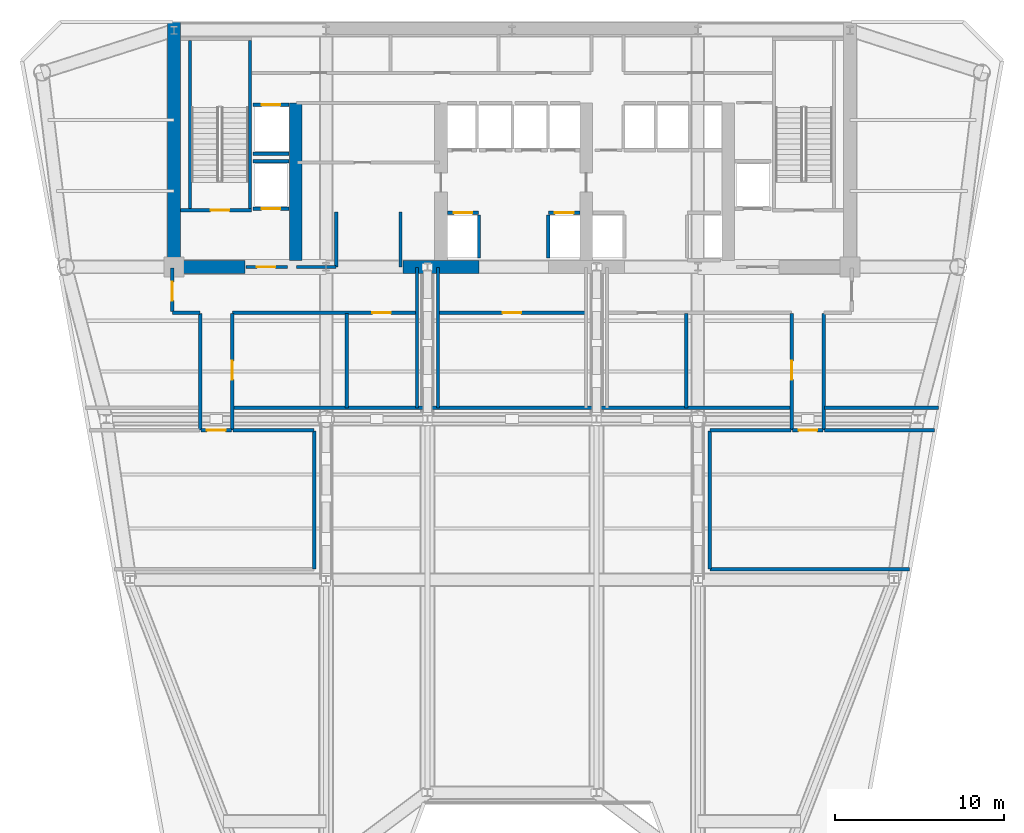
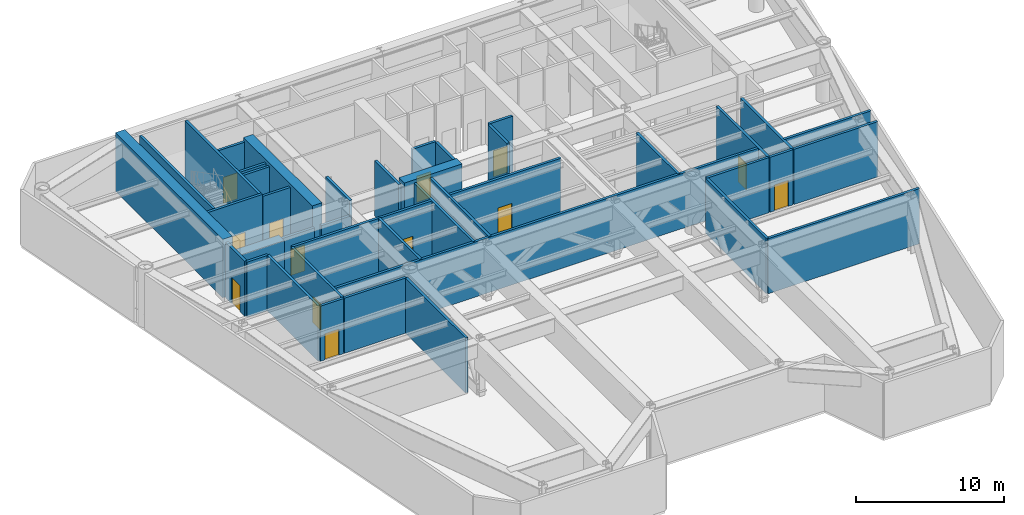
# One storey, part 4 of 10: 41 walls, 13 doors, 13 openings.
"""IFC4 building model written with IfcOpenShell, lengths in metres."""

from ifc_helpers import new_model, si_unit, direction, frame, frame_2d, origin, place, context, subcontext, project, spatial, rectangle, extrude, source, transform, mapped, material, layer, layer_set, type_object, element, fill, save


model = new_model("IFC4")

# Units and contexts
model_context = context("Model", 3, precision=1e-05, world=origin(), true_north=direction((0.0, 1.0)))
body_context = subcontext(model_context, "Body", "Model", "MODEL_VIEW")
ifc_project = project(units=[si_unit("LENGTHUNIT", "METRE"), si_unit("AREAUNIT", "SQUARE_METRE"), si_unit("VOLUMEUNIT", "CUBIC_METRE"), si_unit("PLANEANGLEUNIT", "RADIAN"), si_unit("MASSUNIT", "GRAM", prefix="KILO")], contexts=[model_context])

# Site, building, storey
site_placement = place(None, origin())
site = spatial("IfcSite", under=ifc_project, at=site_placement, CompositionType="ELEMENT")
building_placement = place(site_placement, origin())
building = spatial("IfcBuilding", under=site, at=building_placement, Name="Vaeldorn Concourse Tower", CompositionType="ELEMENT")
storey_placement = place(building_placement, frame((0.0, 0.0, 149.0)))
storey = spatial("IfcBuildingStorey", under=building, at=storey_placement, Name="L38", CompositionType="ELEMENT", Elevation=149.0)

# Walls
ifc_material_1 = material(Name="Concrete C60/75", Category="concrete")
ifc_layer_1 = layer(ifc_material_1, 0.75)
ifc_layer_set_1 = layer_set([ifc_layer_1], Name="Concrete C60/75")
wall_type_1 = type_object("IfcWallType", Name="WL-CORE-750", PredefinedType="SHEAR", material=ifc_layer_set_1)
wall_1_placement = place(storey_placement, frame((14.0, 36.5, 0.0), z_axis=(0.0, 0.0, 1.0), x_axis=(0.0, 1.0, 0.0)))
element("IfcWall", 1, at=wall_1_placement, inside=storey, type_object=wall_type_1, Name="Rear Core Shear Wall L38 W1", PredefinedType="SHEAR", context=body_context, shape_type="SweptSolid", body=[
    extrude(rectangle(XDim=14.5, YDim=0.75, at=frame_2d((7.25, 0.0))), origin(), (0.0, 0.0, 1.0), 4.800048828125),
])
wall_2_placement = place(storey_placement, frame((14.39501953125, 36.5, 0.0), z_axis=(0.0, 0.0, 1.0), x_axis=(1.0, 0.0, 0.0)))
element("IfcWall", 2, at=wall_2_placement, inside=storey, type_object=wall_type_1, Name="Rear Core Shear Wall L38 S1", PredefinedType="SHEAR", context=body_context, shape_type="SweptSolid", body=[
    extrude(rectangle(XDim=3.804931640625, YDim=0.75, at=frame_2d((1.90234375, 0.0))), origin(), (0.0, 0.0, 1.0), 3.340087890625),
])
wall_3_placement = place(storey_placement, frame((27.550048828125, 36.5, 0.0), z_axis=(0.0, 0.0, 1.0), x_axis=(1.0, 0.0, 0.0)))
element("IfcWall", 3, at=wall_3_placement, inside=storey, type_object=wall_type_1, Name="Rear Core Shear Wall L38 S2", PredefinedType="SHEAR", context=body_context, shape_type="SweptSolid", body=[
    extrude(rectangle(XDim=4.5, YDim=0.75, at=frame_2d((2.25, 0.0))), origin(), (0.0, 0.0, 1.0), 4.800048828125),
])
wall_4_placement = place(storey_placement, frame((21.199951171875, 36.89501953125, 0.0), z_axis=(0.0, 0.0, 1.0), x_axis=(0.0, 1.0, 0.0)))
element("IfcWall", 4, at=wall_4_placement, inside=storey, type_object=wall_type_1, Name="Rear Core Shear Wall L38 M1", PredefinedType="SHEAR", context=body_context, shape_type="SweptSolid", body=[
    extrude(rectangle(XDim=9.304931640625, YDim=0.75, at=frame_2d((4.65234375, 0.0))), origin(), (0.0, 0.0, 1.0), 4.800048828125),
])

# Wall, opening, door
ifc_material_2 = material(Name="Concrete C50/60", Category="concrete")
ifc_layer_2 = layer(ifc_material_2, 0.199951171875)
ifc_layer_set_2 = layer_set([ifc_layer_2], Name="Concrete C50/60")
wall_type_2 = type_object("IfcWallType", Name="WL-SHAFT-200", PredefinedType="SOLIDWALL", material=ifc_layer_set_2)
wall_5_placement = place(storey_placement, frame((14.375, 39.85009765625, 0.0), z_axis=(0.0, 0.0, 1.0), x_axis=(1.0, 0.0, 0.0)))
wall_5 = element("IfcWall", 5, at=wall_5_placement, inside=storey, type_object=wall_type_2, Name="Stair Shaft Wall CW-L38-ST-1-S", PredefinedType="SOLIDWALL", context=body_context, shape_type="SweptSolid", body=[
    extrude(rectangle(XDim=4.22509765625, YDim=0.199951171875, at=frame_2d((2.112548828125, 0.0))), origin(), (0.0, 0.0, 1.0), 4.800048828125),
])
opening_1_placement = place(wall_5_placement, frame((1.800048828125, 0.0, 0.0)))
opening_1 = element("IfcOpeningElement", 6, at=opening_1_placement, cuts=wall_5, Name="Opening D-01", PredefinedType="OPENING", context=body_context, shape_type="SweptSolid", body=[
    extrude(rectangle(XDim=1.10009765625, YDim=2.14990234375, at=frame_2d((0.550048828125, 1.074951171875))), frame((0.0, 0.10986328125, 0.0), z_axis=(0.0, -1.0, 0.0), x_axis=(1.0, 0.0, 0.0)), (0.0, 0.0, 1.0), 0.219970703125),
])
ifc_material_3 = material(Name="Fire-Rated Timber and Steel Leaf", Category="steel")
door_type_1 = type_object("IfcDoorType", Name="DR-FD60-1100", OperationType="NOTDEFINED", PredefinedType="DOOR", material=ifc_material_3)
shared_shape = source(origin(), body_context, "Body", "SweptSolid", [
    extrude(rectangle(XDim=1.10009765625, YDim=2.14990234375, at=frame_2d((0.550048828125, 1.074951171875))), frame((0.0, 0.02490234375, 0.0), z_axis=(0.0, -1.0, 0.0), x_axis=(1.0, 0.0, 0.0)), (0.0, 0.0, 1.0), 0.050048828125),
])
door_1_placement = place(opening_1_placement, origin())
door_1 = element("IfcDoor", 7, at=door_1_placement, inside=storey, type_object=door_type_1, Name="Interior Door DR-L38-ST-1", OperationType="SINGLE_SWING_LEFT", OverallHeight=2.14990234375, OverallWidth=1.10009765625, PredefinedType="DOOR", context=body_context, shape_type="MappedRepresentation", body=[
    mapped(shared_shape, transform((0.0, 0.0, 0.0), scale=1.0)),
])
fill(opening_1, door_1)

# Walls
for number, where, z_axis, x_axis, name in (
    (8, (14.949951171875, 39.9599609375, 0.0), (0.0, 0.0, 1.0), (0.0, 1.0, 0.0), "Stair Shaft Wall CW-L38-ST-1-W"),
    (9, (18.5, 39.9599609375, 0.0), (0.0, 0.0, 1.0), (0.0, 1.0, 0.0), "Stair Shaft Wall CW-L38-ST-1-E"),
):
    element("IfcWall", number, at=place(storey_placement, frame(where, z_axis=z_axis, x_axis=x_axis)), inside=storey, type_object=wall_type_2, Name=name, PredefinedType="SOLIDWALL", context=body_context, shape_type="SweptSolid", body=[
        extrude(rectangle(XDim=9.929931640625, YDim=0.199951171875, at=frame_2d((4.96484375, 0.0))), origin(), (0.0, 0.0, 1.0), 4.800048828125),
    ])

# Wall, opening, door
wall_6_placement = place(storey_placement, frame((18.25, 36.5, 0.0), z_axis=(0.0, 0.0, 1.0), x_axis=(1.0, 0.0, 0.0)))
wall_6 = element("IfcWall", 10, at=wall_6_placement, inside=storey, type_object=wall_type_2, Name="Interior Wall CW-L38-FF1S", PredefinedType="SOLIDWALL", context=body_context, shape_type="SweptSolid", body=[
    extrude(rectangle(XDim=2.469970703125, YDim=0.199951171875, at=frame_2d((1.23486328125, 0.0))), origin(), (0.0, 0.0, 1.0), 3.330078125),
])
opening_2_placement = place(wall_6_placement, frame((0.64990234375, 0.0, 0.0)))
opening_2 = element("IfcOpeningElement", 11, at=opening_2_placement, cuts=wall_6, Name="Opening D-01", PredefinedType="OPENING", context=body_context, shape_type="SweptSolid", body=[
    extrude(rectangle(XDim=1.10009765625, YDim=2.14990234375, at=frame_2d((0.550048828125, 1.074951171875))), frame((0.0, 0.10986328125, 0.0), z_axis=(0.0, -1.0, 0.0), x_axis=(1.0, 0.0, 0.0)), (0.0, 0.0, 1.0), 0.219970703125),
])
door_2_placement = place(opening_2_placement, origin())
door_2 = element("IfcDoor", 12, at=door_2_placement, inside=storey, type_object=door_type_1, Name="Interior Door DR-L38-FF1E", OperationType="SINGLE_SWING_RIGHT", OverallHeight=2.14990234375, OverallWidth=1.10009765625, PredefinedType="DOOR", context=body_context, shape_type="MappedRepresentation", body=[
    mapped(shared_shape, transform((0.0, 0.0, 0.0), scale=1.0)),
])
fill(opening_2, door_2)

wall_7_placement = place(storey_placement, frame((30.18505859375, 39.699951171875, 0.0), z_axis=(0.0, 0.0, 1.0), x_axis=(1.0, 0.0, 0.0)))
wall_7 = element("IfcWall", 13, at=wall_7_placement, inside=storey, type_object=wall_type_2, Name="Interior Wall CW-L38-LF-LF-07", PredefinedType="SOLIDWALL", context=body_context, shape_type="SweptSolid", body=[
    extrude(rectangle(XDim=1.844970703125, YDim=0.199951171875, at=frame_2d((0.92236328125, 0.0))), origin(), (0.0, 0.0, 1.0), 4.5400390625),
])
opening_3_placement = place(wall_7_placement, frame((0.373046875, 0.0, 0.0)))
opening_3 = element("IfcOpeningElement", 14, at=opening_3_placement, cuts=wall_7, Name="Opening LD-1", PredefinedType="OPENING", context=body_context, shape_type="SweptSolid", body=[
    extrude(rectangle(XDim=1.10009765625, YDim=2.14990234375, at=frame_2d((0.550048828125, 1.074951171875))), frame((0.0, 0.10986328125, 0.0), z_axis=(0.0, -1.0, 0.0), x_axis=(1.0, 0.0, 0.0)), (0.0, 0.0, 1.0), 0.219970703125),
])
ifc_material_4 = material(Name="Anodised Bronze Aluminium", Category="aluminium")
door_type_2 = type_object("IfcDoorType", Name="DR-LIFT-SLIDE-1100", OperationType="DOUBLE_DOOR_SLIDING", PredefinedType="DOOR", material=ifc_material_4)
door_3_placement = place(opening_3_placement, origin())
door_3 = element("IfcDoor", 15, at=door_3_placement, inside=storey, type_object=door_type_2, Name="Lift Landing Door LD-L38-LF-07", OperationType="DOUBLE_DOOR_SLIDING", OverallHeight=2.14990234375, OverallWidth=1.10009765625, PredefinedType="DOOR", context=body_context, shape_type="MappedRepresentation", body=[
    mapped(shared_shape, transform((0.0, 0.0, 0.0), scale=1.0)),
])
fill(opening_3, door_3)

# Wall
wall_8_placement = place(storey_placement, frame((32.050048828125, 37.02001953125, 0.0), z_axis=(0.0, 0.0, 1.0), x_axis=(0.0, 1.0, 0.0)))
element("IfcWall", 16, at=wall_8_placement, inside=storey, type_object=wall_type_2, Name="Interior Wall CW-L38-LFE-LF-07", PredefinedType="SOLIDWALL", context=body_context, shape_type="SweptSolid", body=[
    extrude(rectangle(XDim=2.56005859375, YDim=0.199951171875, at=frame_2d((1.280029296875, 0.0))), origin(), (0.0, 0.0, 1.0), 4.5400390625),
])

# Wall, opening, door
wall_9_placement = place(storey_placement, frame((36.169921875, 39.699951171875, 0.0), z_axis=(0.0, 0.0, 1.0), x_axis=(1.0, 0.0, 0.0)))
wall_9 = element("IfcWall", 17, at=wall_9_placement, inside=storey, type_object=wall_type_2, Name="Interior Wall CW-L38-LF-LF-08", PredefinedType="SOLIDWALL", context=body_context, shape_type="SweptSolid", body=[
    extrude(rectangle(XDim=1.844970703125, YDim=0.199951171875, at=frame_2d((0.92236328125, 0.0))), origin(), (0.0, 0.0, 1.0), 4.5400390625),
])
opening_4_placement = place(wall_9_placement, frame((0.3720703125, 0.0, 0.0)))
opening_4 = element("IfcOpeningElement", 18, at=opening_4_placement, cuts=wall_9, Name="Opening LD-1", PredefinedType="OPENING", context=body_context, shape_type="SweptSolid", body=[
    extrude(rectangle(XDim=1.10009765625, YDim=2.14990234375, at=frame_2d((0.550048828125, 1.074951171875))), frame((0.0, 0.10986328125, 0.0), z_axis=(0.0, -1.0, 0.0), x_axis=(1.0, 0.0, 0.0)), (0.0, 0.0, 1.0), 0.219970703125),
])
door_4_placement = place(opening_4_placement, origin())
door_4 = element("IfcDoor", 19, at=door_4_placement, inside=storey, type_object=door_type_2, Name="Lift Landing Door LD-L38-LF-08", OperationType="DOUBLE_DOOR_SLIDING", OverallHeight=2.14990234375, OverallWidth=1.10009765625, PredefinedType="DOOR", context=body_context, shape_type="MappedRepresentation", body=[
    mapped(shared_shape, transform((0.0, 0.0, 0.0), scale=1.0)),
])
fill(opening_4, door_4)

# Wall
wall_10_placement = place(storey_placement, frame((36.14990234375, 37.02001953125, 0.0), z_axis=(0.0, 0.0, 1.0), x_axis=(0.0, 1.0, 0.0)))
element("IfcWall", 20, at=wall_10_placement, inside=storey, type_object=wall_type_2, Name="Interior Wall CW-L38-LFW-LF-08", PredefinedType="SOLIDWALL", context=body_context, shape_type="SweptSolid", body=[
    extrude(rectangle(XDim=2.56005859375, YDim=0.199951171875, at=frame_2d((1.280029296875, 0.0))), origin(), (0.0, 0.0, 1.0), 4.5400390625),
])

# Wall, opening, door
wall_11_placement = place(storey_placement, frame((18.669921875, 46.10009765625, 0.0), z_axis=(0.0, 0.0, 1.0), x_axis=(1.0, 0.0, 0.0)))
wall_11 = element("IfcWall", 21, at=wall_11_placement, inside=storey, type_object=wall_type_2, Name="Interior Wall CW-L38-LF-LF-SV1", PredefinedType="SOLIDWALL", context=body_context, shape_type="SweptSolid", body=[
    extrude(rectangle(XDim=2.14501953125, YDim=0.199951171875, at=frame_2d((1.072509765625, 0.0))), origin(), (0.0, 0.0, 1.0), 4.5400390625),
])
opening_5_placement = place(wall_11_placement, frame((0.52197265625, 0.0, 0.0)))
opening_5 = element("IfcOpeningElement", 22, at=opening_5_placement, cuts=wall_11, Name="Opening LD-1", PredefinedType="OPENING", context=body_context, shape_type="SweptSolid", body=[
    extrude(rectangle(XDim=1.10009765625, YDim=2.14990234375, at=frame_2d((0.550048828125, 1.074951171875))), frame((0.0, 0.10986328125, 0.0), z_axis=(0.0, -1.0, 0.0), x_axis=(1.0, 0.0, 0.0)), (0.0, 0.0, 1.0), 0.219970703125),
])
door_5_placement = place(opening_5_placement, origin())
door_5 = element("IfcDoor", 23, at=door_5_placement, inside=storey, type_object=door_type_2, Name="Lift Landing Door LD-L38-LF-SV1", OperationType="DOUBLE_DOOR_SLIDING", OverallHeight=2.14990234375, OverallWidth=1.10009765625, PredefinedType="DOOR", context=body_context, shape_type="MappedRepresentation", body=[
    mapped(shared_shape, transform((0.0, 0.0, 0.0), scale=1.0)),
])
fill(opening_5, door_5)

# Wall
wall_12_placement = place(storey_placement, frame((18.669921875, 43.199951171875, 0.0), z_axis=(0.0, 0.0, 1.0), x_axis=(1.0, 0.0, 0.0)))
element("IfcWall", 24, at=wall_12_placement, inside=storey, type_object=wall_type_2, Name="Interior Wall CW-L38-LFB-LF-SV1", PredefinedType="SOLIDWALL", context=body_context, shape_type="SweptSolid", body=[
    extrude(rectangle(XDim=2.14501953125, YDim=0.199951171875, at=frame_2d((1.072509765625, 0.0))), origin(), (0.0, 0.0, 1.0), 4.5400390625),
])

# Wall, opening, door
wall_13_placement = place(storey_placement, frame((18.669921875, 39.949951171875, 0.0), z_axis=(0.0, 0.0, 1.0), x_axis=(1.0, 0.0, 0.0)))
wall_13 = element("IfcWall", 25, at=wall_13_placement, inside=storey, type_object=wall_type_2, Name="Interior Wall CW-L38-LF-LF-FF1", PredefinedType="SOLIDWALL", context=body_context, shape_type="SweptSolid", body=[
    extrude(rectangle(XDim=2.14501953125, YDim=0.199951171875, at=frame_2d((1.072509765625, 0.0))), origin(), (0.0, 0.0, 1.0), 4.5400390625),
])
opening_6_placement = place(wall_13_placement, frame((0.52197265625, 0.0, 0.0)))
opening_6 = element("IfcOpeningElement", 26, at=opening_6_placement, cuts=wall_13, Name="Opening LD-1", PredefinedType="OPENING", context=body_context, shape_type="SweptSolid", body=[
    extrude(rectangle(XDim=1.10009765625, YDim=2.14990234375, at=frame_2d((0.550048828125, 1.074951171875))), frame((0.0, 0.10986328125, 0.0), z_axis=(0.0, -1.0, 0.0), x_axis=(1.0, 0.0, 0.0)), (0.0, 0.0, 1.0), 0.219970703125),
])
door_6_placement = place(opening_6_placement, origin())
door_6 = element("IfcDoor", 27, at=door_6_placement, inside=storey, type_object=door_type_2, Name="Lift Landing Door LD-L38-LF-FF1", OperationType="DOUBLE_DOOR_SLIDING", OverallHeight=2.14990234375, OverallWidth=1.10009765625, PredefinedType="DOOR", context=body_context, shape_type="MappedRepresentation", body=[
    mapped(shared_shape, transform((0.0, 0.0, 0.0), scale=1.0)),
])
fill(opening_6, door_6)

# Walls
wall_14_placement = place(storey_placement, frame((18.669921875, 42.75, 0.0), z_axis=(0.0, 0.0, 1.0), x_axis=(1.0, 0.0, 0.0)))
element("IfcWall", 28, at=wall_14_placement, inside=storey, type_object=wall_type_2, Name="Interior Wall CW-L38-LFB-LF-FF1", PredefinedType="SOLIDWALL", context=body_context, shape_type="SweptSolid", body=[
    extrude(rectangle(XDim=2.14501953125, YDim=0.199951171875, at=frame_2d((1.072509765625, 0.0))), origin(), (0.0, 0.0, 1.0), 4.5400390625),
])
wall_15_placement = place(storey_placement, frame((21.25, 36.5, 0.0), z_axis=(0.0, 0.0, 1.0), x_axis=(1.0, 0.0, 0.0)))
element("IfcWall", 29, at=wall_15_placement, inside=storey, type_object=wall_type_2, Name="Interior Wall CW-L38-R1S1", PredefinedType="SOLIDWALL", context=body_context, shape_type="SweptSolid", body=[
    extrude(rectangle(XDim=2.35009765625, YDim=0.199951171875, at=frame_2d((1.175048828125, 0.0))), origin(), (0.0, 0.0, 1.0), 3.330078125),
])
for number, where, z_axis, x_axis, name in (
    (30, (23.60009765625, 36.5, 0.0), (0.0, 0.0, 1.0), (0.0, 1.0, 0.0), "Interior Wall CW-L38-R1S2"),
    (31, (27.39990234375, 36.5, 0.0), (0.0, 0.0, 1.0), (0.0, 1.0, 0.0), "Interior Wall CW-L38-R1S3"),
):
    element("IfcWall", number, at=place(storey_placement, frame(where, z_axis=z_axis, x_axis=x_axis)), inside=storey, type_object=wall_type_2, Name=name, PredefinedType="SOLIDWALL", context=body_context, shape_type="SweptSolid", body=[
        extrude(rectangle(XDim=3.25, YDim=0.199951171875, at=frame_2d((1.625, 0.0))), origin(), (0.0, 0.0, 1.0), 4.5400390625),
    ])
wall_16_placement = place(storey_placement, frame((13.89990234375, 33.800048828125, 0.0), z_axis=(0.0, 0.0, 1.0), x_axis=(1.0, 0.0, 0.0)))
element("IfcWall", 32, at=wall_16_placement, inside=storey, type_object=wall_type_2, Name="Interior Wall PW-L38-PCW1", PredefinedType="SOLIDWALL", context=body_context, shape_type="SweptSolid", body=[
    extrude(rectangle(XDim=1.650146484375, YDim=0.199951171875, at=frame_2d((0.8251953125, 0.0))), origin(), (0.0, 0.0, 1.0), 4.5400390625),
])

# Wall, opening, door
wall_17_placement = place(storey_placement, frame((17.449951171875, 33.800048828125, 0.0), z_axis=(0.0, 0.0, 1.0), x_axis=(1.0, 0.0, 0.0)))
wall_17 = element("IfcWall", 33, at=wall_17_placement, inside=storey, type_object=wall_type_2, Name="Interior Wall PW-L38-PCW2", PredefinedType="SOLIDWALL", context=body_context, shape_type="SweptSolid", body=[
    extrude(rectangle(XDim=10.91015625, YDim=0.199951171875, at=frame_2d((5.455078125, 0.0))), origin(), (0.0, 0.0, 1.0), 4.5400390625),
])
opening_7_placement = place(wall_17_placement, frame((8.284912109375, 0.0, 0.0)))
opening_7 = element("IfcOpeningElement", 34, at=opening_7_placement, cuts=wall_17, Name="Opening D-01", PredefinedType="OPENING", context=body_context, shape_type="SweptSolid", body=[
    extrude(rectangle(XDim=1.10009765625, YDim=2.14990234375, at=frame_2d((0.550048828125, 1.074951171875))), frame((0.0, 0.10986328125, 0.0), z_axis=(0.0, -1.0, 0.0), x_axis=(1.0, 0.0, 0.0)), (0.0, 0.0, 1.0), 0.219970703125),
])
door_7_placement = place(opening_7_placement, origin())
door_7 = element("IfcDoor", 35, at=door_7_placement, inside=storey, type_object=door_type_1, Name="Interior Door DR-L38-PL1", OperationType="SINGLE_SWING_LEFT", OverallHeight=2.14990234375, OverallWidth=1.10009765625, PredefinedType="DOOR", context=body_context, shape_type="MappedRepresentation", body=[
    mapped(shared_shape, transform((0.0, 0.0, 0.0), scale=1.0)),
])
fill(opening_7, door_7)

wall_18_placement = place(storey_placement, frame((29.639892578125, 33.800048828125, 0.0), z_axis=(0.0, 0.0, 1.0), x_axis=(1.0, 0.0, 0.0)))
wall_18 = element("IfcWall", 36, at=wall_18_placement, inside=storey, type_object=wall_type_2, Name="Interior Wall PW-L38-PCC", PredefinedType="SOLIDWALL", context=body_context, shape_type="SweptSolid", body=[
    extrude(rectangle(XDim=8.72021484375, YDim=0.199951171875, at=frame_2d((4.360107421875, 0.0))), origin(), (0.0, 0.0, 1.0), 4.5400390625),
])
opening_8_placement = place(wall_18_placement, frame((3.800048828125, 0.0, 0.0)))
opening_8 = element("IfcOpeningElement", 37, at=opening_8_placement, cuts=wall_18, Name="Opening D-01", PredefinedType="OPENING", context=body_context, shape_type="SweptSolid", body=[
    extrude(rectangle(XDim=1.10009765625, YDim=2.14990234375, at=frame_2d((0.550048828125, 1.074951171875))), frame((0.0, 0.10986328125, 0.0), z_axis=(0.0, -1.0, 0.0), x_axis=(1.0, 0.0, 0.0)), (0.0, 0.0, 1.0), 0.219970703125),
])
door_8_placement = place(opening_8_placement, origin())
door_8 = element("IfcDoor", 38, at=door_8_placement, inside=storey, type_object=door_type_1, Name="Interior Door DR-L38-PL2", OperationType="SINGLE_SWING_RIGHT", OverallHeight=2.14990234375, OverallWidth=1.10009765625, PredefinedType="DOOR", context=body_context, shape_type="MappedRepresentation", body=[
    mapped(shared_shape, transform((0.0, 0.0, 0.0), scale=1.0)),
])
fill(opening_8, door_8)

wall_19_placement = place(storey_placement, frame((13.89990234375, 33.860107421875, 0.0), z_axis=(0.0, 0.0, 1.0), x_axis=(0.0, 1.0, 0.0)))
wall_19 = element("IfcWall", 39, at=wall_19_placement, inside=storey, type_object=wall_type_2, Name="Interior Wall PW-L38-RNW", PredefinedType="SOLIDWALL", context=body_context, shape_type="SweptSolid", body=[
    extrude(rectangle(XDim=2.579833984375, YDim=0.199951171875, at=frame_2d((1.2900390625, 0.0))), origin(), (0.0, 0.0, 1.0), 4.5400390625),
])
opening_9_placement = place(wall_19_placement, frame((0.64990234375, 0.0, 0.0)))
opening_9 = element("IfcOpeningElement", 40, at=opening_9_placement, cuts=wall_19, Name="Opening D-01", PredefinedType="OPENING", context=body_context, shape_type="SweptSolid", body=[
    extrude(rectangle(XDim=1.10009765625, YDim=2.14990234375, at=frame_2d((0.550048828125, 1.074951171875))), frame((0.0, 0.10986328125, 0.0), z_axis=(0.0, -1.0, 0.0), x_axis=(1.0, 0.0, 0.0)), (0.0, 0.0, 1.0), 0.219970703125),
])
door_9_placement = place(opening_9_placement, origin())
door_9 = element("IfcDoor", 41, at=door_9_placement, inside=storey, type_object=door_type_1, Name="Interior Door DR-L38-REF1", OperationType="SINGLE_SWING_LEFT", OverallHeight=2.14990234375, OverallWidth=1.10009765625, PredefinedType="DOOR", context=body_context, shape_type="MappedRepresentation", body=[
    mapped(shared_shape, transform((0.0, 0.0, 0.0), scale=1.0)),
])
fill(opening_9, door_9)

# Wall
wall_20_placement = place(storey_placement, frame((15.56005859375, 26.840087890625, 0.0), z_axis=(0.0, 0.0, 1.0), x_axis=(0.0, 1.0, 0.0)))
element("IfcWall", 42, at=wall_20_placement, inside=storey, type_object=wall_type_2, Name="Interior Wall PW-L38-SPWW", PredefinedType="SOLIDWALL", context=body_context, shape_type="SweptSolid", body=[
    extrude(rectangle(XDim=6.919921875, YDim=0.199951171875, at=frame_2d((3.4599609375, 0.0))), origin(), (0.0, 0.0, 1.0), 4.5400390625),
])

# Wall, opening, door
wall_21_placement = place(storey_placement, frame((17.43994140625, 26.840087890625, 0.0), z_axis=(0.0, 0.0, 1.0), x_axis=(0.0, 1.0, 0.0)))
wall_21 = element("IfcWall", 43, at=wall_21_placement, inside=storey, type_object=wall_type_2, Name="Interior Wall PW-L38-SPWE", PredefinedType="SOLIDWALL", context=body_context, shape_type="SweptSolid", body=[
    extrude(rectangle(XDim=6.919921875, YDim=0.199951171875, at=frame_2d((3.4599609375, 0.0))), origin(), (0.0, 0.0, 1.0), 4.5400390625),
])
opening_10_placement = place(wall_21_placement, frame((3.0, 0.0, 0.0)))
opening_10 = element("IfcOpeningElement", 44, at=opening_10_placement, cuts=wall_21, Name="Opening D-01", PredefinedType="OPENING", context=body_context, shape_type="SweptSolid", body=[
    extrude(rectangle(XDim=1.10009765625, YDim=2.14990234375, at=frame_2d((0.550048828125, 1.074951171875))), frame((0.0, 0.10986328125, 0.0), z_axis=(0.0, -1.0, 0.0), x_axis=(1.0, 0.0, 0.0)), (0.0, 0.0, 1.0), 0.219970703125),
])
door_10_placement = place(opening_10_placement, origin())
door_10 = element("IfcDoor", 45, at=door_10_placement, inside=storey, type_object=door_type_1, Name="Interior Door DR-L38-REF1B", OperationType="SINGLE_SWING_RIGHT", OverallHeight=2.14990234375, OverallWidth=1.10009765625, PredefinedType="DOOR", context=body_context, shape_type="MappedRepresentation", body=[
    mapped(shared_shape, transform((0.0, 0.0, 0.0), scale=1.0)),
])
fill(opening_10, door_10)

wall_22_placement = place(storey_placement, frame((15.60009765625, 26.840087890625, 0.0), z_axis=(0.0, 0.0, 1.0), x_axis=(1.0, 0.0, 0.0)))
wall_22 = element("IfcWall", 46, at=wall_22_placement, inside=storey, type_object=wall_type_2, Name="Interior Wall PW-L38-SPWS", PredefinedType="SOLIDWALL", context=body_context, shape_type="SweptSolid", body=[
    extrude(rectangle(XDim=1.7998046875, YDim=0.199951171875, at=frame_2d((0.89990234375, 0.0))), origin(), (0.0, 0.0, 1.0), 4.5400390625),
])
opening_11_placement = place(wall_22_placement, frame((0.35009765625, 0.0, 0.0)))
opening_11 = element("IfcOpeningElement", 47, at=opening_11_placement, cuts=wall_22, Name="Opening D-01", PredefinedType="OPENING", context=body_context, shape_type="SweptSolid", body=[
    extrude(rectangle(XDim=1.10009765625, YDim=2.14990234375, at=frame_2d((0.550048828125, 1.074951171875))), frame((0.0, 0.10986328125, 0.0), z_axis=(0.0, -1.0, 0.0), x_axis=(1.0, 0.0, 0.0)), (0.0, 0.0, 1.0), 0.219970703125),
])
door_11_placement = place(opening_11_placement, origin())
door_11 = element("IfcDoor", 48, at=door_11_placement, inside=storey, type_object=door_type_1, Name="Interior Door DR-L38-REF3", OperationType="SINGLE_SWING_LEFT", OverallHeight=2.14990234375, OverallWidth=1.10009765625, PredefinedType="DOOR", context=body_context, shape_type="MappedRepresentation", body=[
    mapped(shared_shape, transform((0.0, 0.0, 0.0), scale=1.0)),
])
fill(opening_11, door_11)

wall_23_placement = place(storey_placement, frame((50.56005859375, 26.840087890625, 0.0), z_axis=(0.0, 0.0, 1.0), x_axis=(0.0, 1.0, 0.0)))
wall_23 = element("IfcWall", 49, at=wall_23_placement, inside=storey, type_object=wall_type_2, Name="Interior Wall PW-L38-SPEW", PredefinedType="SOLIDWALL", context=body_context, shape_type="SweptSolid", body=[
    extrude(rectangle(XDim=6.919921875, YDim=0.199951171875, at=frame_2d((3.4599609375, 0.0))), origin(), (0.0, 0.0, 1.0), 4.5400390625),
])
opening_12_placement = place(wall_23_placement, frame((3.0, 0.0, 0.0)))
opening_12 = element("IfcOpeningElement", 50, at=opening_12_placement, cuts=wall_23, Name="Opening D-01", PredefinedType="OPENING", context=body_context, shape_type="SweptSolid", body=[
    extrude(rectangle(XDim=1.10009765625, YDim=2.14990234375, at=frame_2d((0.550048828125, 1.074951171875))), frame((0.0, 0.10986328125, 0.0), z_axis=(0.0, -1.0, 0.0), x_axis=(1.0, 0.0, 0.0)), (0.0, 0.0, 1.0), 0.219970703125),
])
door_12_placement = place(opening_12_placement, origin())
door_12 = element("IfcDoor", 51, at=door_12_placement, inside=storey, type_object=door_type_1, Name="Interior Door DR-L38-REF2B", OperationType="SINGLE_SWING_LEFT", OverallHeight=2.14990234375, OverallWidth=1.10009765625, PredefinedType="DOOR", context=body_context, shape_type="MappedRepresentation", body=[
    mapped(shared_shape, transform((0.0, 0.0, 0.0), scale=1.0)),
])
fill(opening_12, door_12)

# Wall
wall_24_placement = place(storey_placement, frame((52.43994140625, 26.840087890625, 0.0), z_axis=(0.0, 0.0, 1.0), x_axis=(0.0, 1.0, 0.0)))
element("IfcWall", 52, at=wall_24_placement, inside=storey, type_object=wall_type_2, Name="Interior Wall PW-L38-SPEE", PredefinedType="SOLIDWALL", context=body_context, shape_type="SweptSolid", body=[
    extrude(rectangle(XDim=6.919921875, YDim=0.199951171875, at=frame_2d((3.4599609375, 0.0))), origin(), (0.0, 0.0, 1.0), 4.5400390625),
])

# Wall, opening, door
wall_25_placement = place(storey_placement, frame((50.60009765625, 26.840087890625, 0.0), z_axis=(0.0, 0.0, 1.0), x_axis=(1.0, 0.0, 0.0)))
wall_25 = element("IfcWall", 53, at=wall_25_placement, inside=storey, type_object=wall_type_2, Name="Interior Wall PW-L38-SPES", PredefinedType="SOLIDWALL", context=body_context, shape_type="SweptSolid", body=[
    extrude(rectangle(XDim=1.7998046875, YDim=0.199951171875, at=frame_2d((0.89990234375, 0.0))), origin(), (0.0, 0.0, 1.0), 4.5400390625),
])
opening_13_placement = place(wall_25_placement, frame((0.35009765625, 0.0, 0.0)))
opening_13 = element("IfcOpeningElement", 54, at=opening_13_placement, cuts=wall_25, Name="Opening D-01", PredefinedType="OPENING", context=body_context, shape_type="SweptSolid", body=[
    extrude(rectangle(XDim=1.10009765625, YDim=2.14990234375, at=frame_2d((0.550048828125, 1.074951171875))), frame((0.0, 0.10986328125, 0.0), z_axis=(0.0, -1.0, 0.0), x_axis=(1.0, 0.0, 0.0)), (0.0, 0.0, 1.0), 0.219970703125),
])
door_13_placement = place(opening_13_placement, origin())
door_13 = element("IfcDoor", 55, at=door_13_placement, inside=storey, type_object=door_type_1, Name="Interior Door DR-L38-REF4", OperationType="SINGLE_SWING_RIGHT", OverallHeight=2.14990234375, OverallWidth=1.10009765625, PredefinedType="DOOR", context=body_context, shape_type="MappedRepresentation", body=[
    mapped(shared_shape, transform((0.0, 0.0, 0.0), scale=1.0)),
])
fill(opening_13, door_13)

# Walls
for number, where, z_axis, x_axis, name in (
    (56, (28.3798828125, 28.159912109375, 0.0), (0.0, 0.0, 1.0), (0.0, 1.0, 0.0), "Interior Wall PW-L38-OT2W"),
    (57, (29.6201171875, 28.159912109375, 0.0), (0.0, 0.0, 1.0), (0.0, 1.0, 0.0), "Interior Wall PW-L38-OT2E"),
):
    element("IfcWall", number, at=place(storey_placement, frame(where, z_axis=z_axis, x_axis=x_axis)), inside=storey, type_object=wall_type_2, Name=name, PredefinedType="SOLIDWALL", context=body_context, shape_type="SweptSolid", body=[
        extrude(rectangle(XDim=8.300048828125, YDim=0.199951171875, at=frame_2d((4.14990234375, 0.0))), origin(), (0.0, 0.0, 1.0), 4.5400390625),
    ])
for number, where, z_axis, x_axis, name in (
    (58, (24.22998046875, 28.159912109375, 0.0), (0.0, 0.0, 1.0), (0.0, 1.0, 0.0), "Interior Wall PW-L38-PL1W"),
    (59, (44.320068359375, 28.159912109375, 0.0), (0.0, 0.0, 1.0), (0.0, 1.0, 0.0), "Interior Wall PW-L38-PL3E"),
):
    element("IfcWall", number, at=place(storey_placement, frame(where, z_axis=z_axis, x_axis=x_axis)), inside=storey, type_object=wall_type_2, Name=name, PredefinedType="SOLIDWALL", context=body_context, shape_type="SweptSolid", body=[
        extrude(rectangle(XDim=5.60009765625, YDim=0.199951171875, at=frame_2d((2.800048828125, 0.0))), origin(), (0.0, 0.0, 1.0), 4.5400390625),
    ])
wall_26_placement = place(storey_placement, frame((17.47998046875, 28.159912109375, 0.0), z_axis=(0.0, 0.0, 1.0), x_axis=(1.0, 0.0, 0.0)))
element("IfcWall", 60, at=wall_26_placement, inside=storey, type_object=wall_type_2, Name="Interior Wall PW-L38-BTN2", PredefinedType="SOLIDWALL", context=body_context, shape_type="SweptSolid", body=[
    extrude(rectangle(XDim=33.0400390625, YDim=0.199951171875, at=frame_2d((16.52001953125, 0.0))), origin(), (0.0, 0.0, 1.0), 4.5400390625),
])
wall_27_placement = place(storey_placement, frame((52.47998046875, 28.159912109375, 0.0), z_axis=(0.0, 0.0, 1.0), x_axis=(1.0, 0.0, 0.0)))
element("IfcWall", 61, at=wall_27_placement, inside=storey, type_object=wall_type_2, Name="Interior Wall PW-L38-BTN3", PredefinedType="SOLIDWALL", context=body_context, shape_type="SweptSolid", body=[
    extrude(rectangle(XDim=6.7548828125, YDim=0.199951171875, at=frame_2d((3.37744140625, 0.0))), origin(), (0.0, 0.0, 1.0), 4.5400390625),
])
for number, where, z_axis, x_axis, name in (
    (62, (17.47998046875, 26.840087890625, 0.0), (0.0, 0.0, 1.0), (1.0, 0.0, 0.0), "Interior Wall PW-L38-BTSW2"),
    (63, (45.699951171875, 26.840087890625, 0.0), (0.0, 0.0, 1.0), (1.0, 0.0, 0.0), "Interior Wall PW-L38-BTSE1"),
):
    element("IfcWall", number, at=place(storey_placement, frame(where, z_axis=z_axis, x_axis=x_axis)), inside=storey, type_object=wall_type_2, Name=name, PredefinedType="SOLIDWALL", context=body_context, shape_type="SweptSolid", body=[
        extrude(rectangle(XDim=4.820068359375, YDim=0.199951171875, at=frame_2d((2.41015625, 0.0))), origin(), (0.0, 0.0, 1.0), 4.5400390625),
    ])
wall_28_placement = place(storey_placement, frame((52.47998046875, 26.840087890625, 0.0), z_axis=(0.0, 0.0, 1.0), x_axis=(1.0, 0.0, 0.0)))
element("IfcWall", 64, at=wall_28_placement, inside=storey, type_object=wall_type_2, Name="Interior Wall PW-L38-BTSE2", PredefinedType="SOLIDWALL", context=body_context, shape_type="SweptSolid", body=[
    extrude(rectangle(XDim=6.515625, YDim=0.199951171875, at=frame_2d((3.2578125, 0.0))), origin(), (0.0, 0.0, 1.0), 4.5400390625),
])
for number, where, z_axis, x_axis, name in (
    (65, (22.300048828125, 18.6201171875, 0.0), (0.0, 0.0, 1.0), (0.0, 1.0, 0.0), "Interior Wall PW-L38-OT1W"),
    (66, (45.699951171875, 18.6201171875, 0.0), (0.0, 0.0, 1.0), (0.0, 1.0, 0.0), "Interior Wall PW-L38-OT4E"),
):
    element("IfcWall", number, at=place(storey_placement, frame(where, z_axis=z_axis, x_axis=x_axis)), inside=storey, type_object=wall_type_2, Name=name, PredefinedType="SOLIDWALL", context=body_context, shape_type="SweptSolid", body=[
        extrude(rectangle(XDim=8.179931640625, YDim=0.199951171875, at=frame_2d((4.08984375, 0.0))), origin(), (0.0, 0.0, 1.0), 4.5400390625),
    ])
wall_29_placement = place(storey_placement, frame((45.699951171875, 18.6201171875, 0.0), z_axis=(0.0, 0.0, 1.0), x_axis=(1.0, 0.0, 0.0)))
element("IfcWall", 67, at=wall_29_placement, inside=storey, type_object=wall_type_2, Name="Interior Wall PW-L38-S18E", PredefinedType="SOLIDWALL", context=body_context, shape_type="SweptSolid", body=[
    extrude(rectangle(XDim=11.804931640625, YDim=0.199951171875, at=frame_2d((5.90234375, 0.0))), origin(), (0.0, 0.0, 1.0), 4.5400390625),
])

save(model, "model.ifc")
